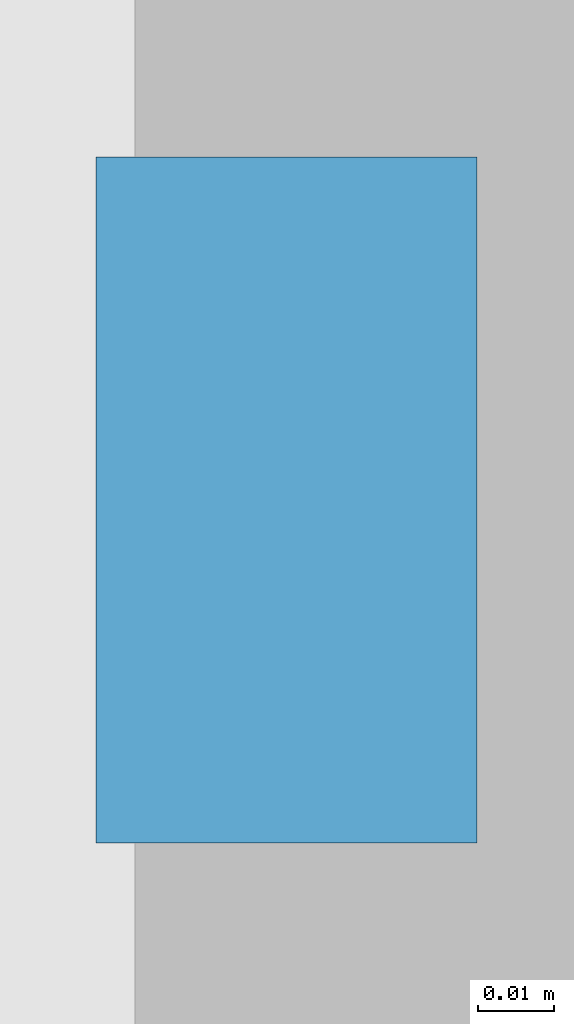
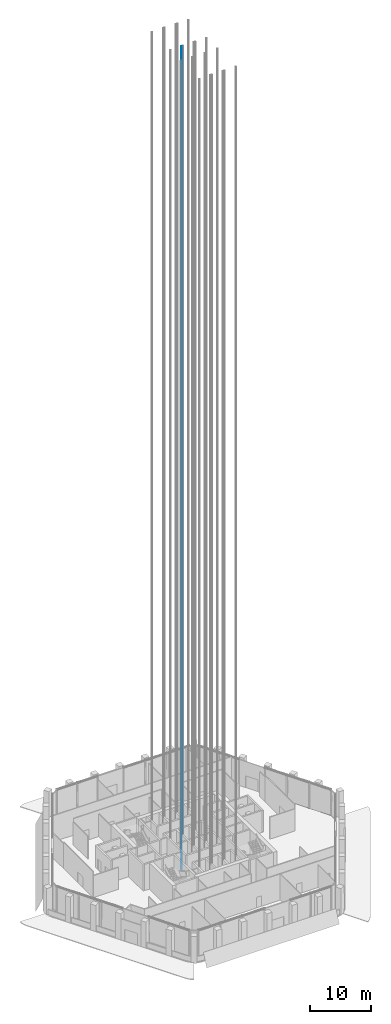
# One storey, part 28 of 42: 1 discrete accessory.
"""IFC4 building model written with IfcOpenShell, lengths in metres."""

from ifc_helpers import new_model, si_unit, direction, frame, origin, origin_2d, place, context, subcontext, project, spatial, rectangle, extrude, element, save


model = new_model("IFC4")

# Units and contexts
model_context = context("Model", 3, precision=1e-05, world=origin(), true_north=direction((0.0, 1.0)))
body_context = subcontext(model_context, "Body", "Model", "MODEL_VIEW")
ifc_project = project(units=[si_unit("LENGTHUNIT", "METRE"), si_unit("AREAUNIT", "SQUARE_METRE"), si_unit("VOLUMEUNIT", "CUBIC_METRE"), si_unit("PLANEANGLEUNIT", "RADIAN"), si_unit("MASSUNIT", "GRAM", prefix="KILO")], contexts=[model_context])

# Site, building, storey
site_placement = place(None, origin())
site = spatial("IfcSite", under=ifc_project, at=site_placement, CompositionType="ELEMENT")
building_placement = place(site_placement, origin())
building = spatial("IfcBuilding", under=site, at=building_placement, Name="Kolab Exchange Tower", CompositionType="ELEMENT")
storey_placement = place(building_placement, frame((0.0, 0.0, 133.39990234375)))
storey = spatial("IfcBuildingStorey", under=building, at=storey_placement, Name="L26", CompositionType="ELEMENT", Elevation=133.39990234375)

# Discrete accessory
discrete_accessory_placement = place(storey_placement, frame((-1.330078125, 1.800048828125, -1.599853515625), z_axis=(0.0, 0.0, 1.0), x_axis=(1.0, 0.0, 0.0)))
element("IfcDiscreteAccessory", 1, at=discrete_accessory_placement, inside=storey, Name="Guide rail HR4-2", ObjectType="GUIDE RAIL", PredefinedType="USERDEFINED", context=body_context, shape_type="SweptSolid", body=[
    extrude(rectangle(XDim=0.050048828125, YDim=0.090087890625, at=origin_2d()), origin(), (0.0, 0.0, 1.0), 165.60009765625),
])

save(model, "model.ifc")
